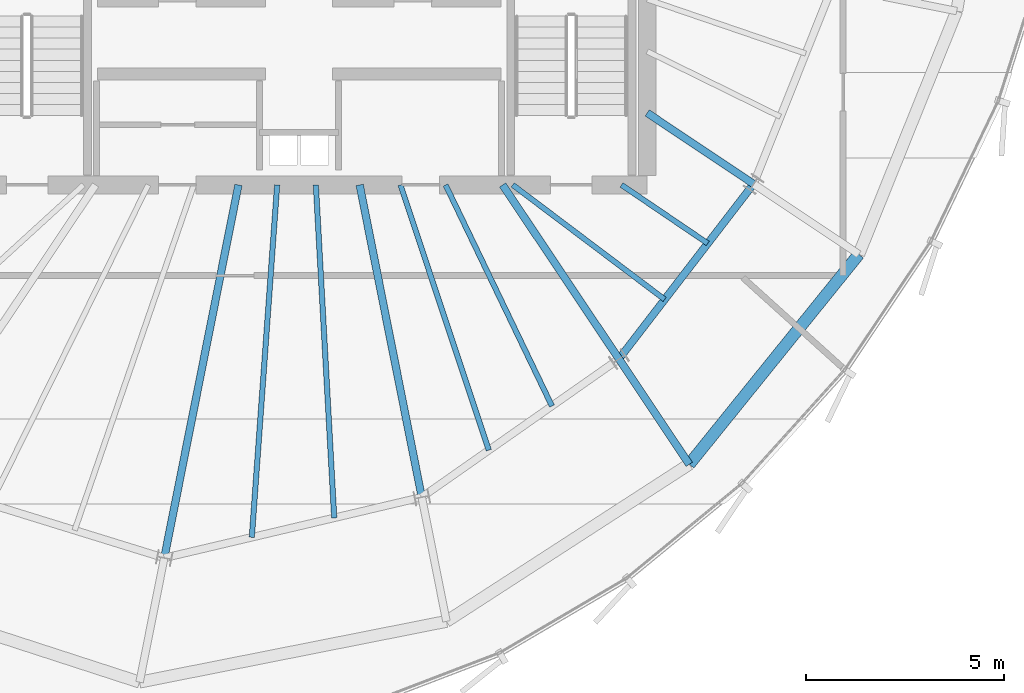
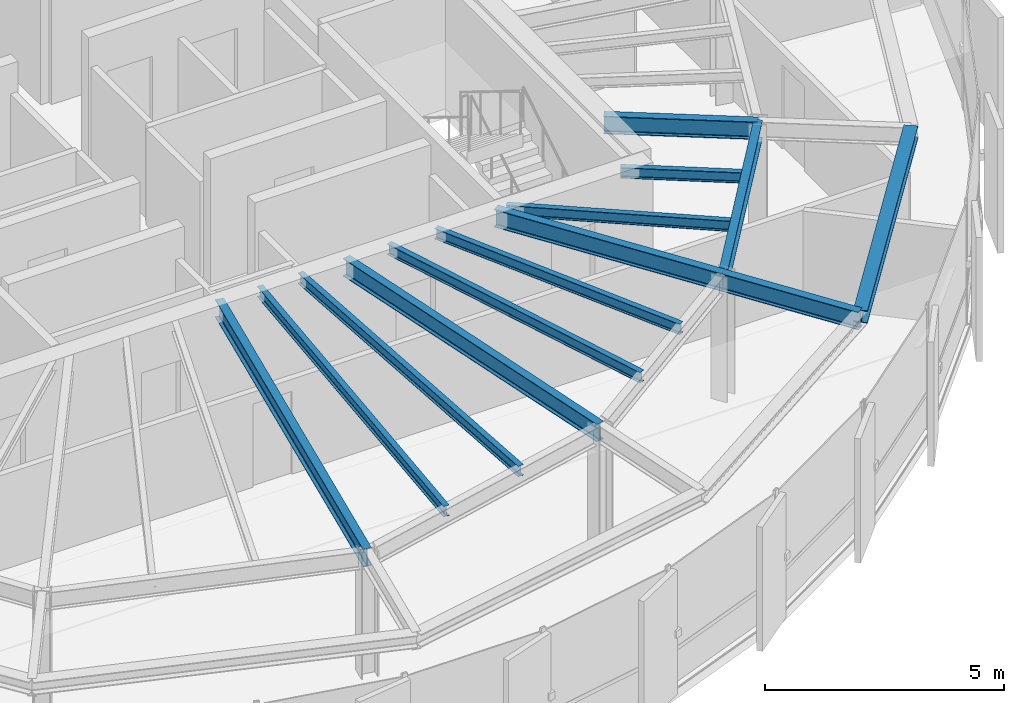
# One storey, part 8 of 31: 13 beams.
"""IFC4 building model written with IfcOpenShell, lengths in metres."""

from ifc_helpers import new_model, si_unit, direction, frame, origin, origin_2d, place, context, subcontext, project, spatial, i_section, extrude, source, transform, mapped, material, material_profile, profile_set, type_object, element, save


model = new_model("IFC4")

# Units and contexts
model_context = context("Model", 3, precision=1e-05, world=origin(), true_north=direction((0.0, 1.0)))
body_context = subcontext(model_context, "Body", "Model", "MODEL_VIEW")
ifc_project = project(units=[si_unit("LENGTHUNIT", "METRE"), si_unit("AREAUNIT", "SQUARE_METRE"), si_unit("VOLUMEUNIT", "CUBIC_METRE"), si_unit("PLANEANGLEUNIT", "RADIAN"), si_unit("MASSUNIT", "GRAM", prefix="KILO"), si_unit("THERMODYNAMICTEMPERATUREUNIT", "KELVIN")], contexts=[model_context])

# Site, building, storey
site_placement = place(None, origin())
site = spatial("IfcSite", under=ifc_project, at=site_placement, CompositionType="ELEMENT")
building_placement = place(site_placement, origin())
building = spatial("IfcBuilding", under=site, at=building_placement, Name="Kethvar Cultural Tower", CompositionType="ELEMENT")
storey_placement = place(building_placement, frame((0.0, 0.0, 276.699951171875)))
storey = spatial("IfcBuildingStorey", under=building, at=storey_placement, Name="L73", CompositionType="ELEMENT", Elevation=276.699951171875)

# Beams
ifc_material = material(Name="Steel S355J2", Category="steel")
ifc_material_profile_1 = material_profile(ifc_material, i_section(OverallWidth=0.18994140625, OverallDepth=0.449951171875, WebThickness=0.009521484375, FlangeThickness=0.0146484375, FilletRadius=0.02099609375, at=origin_2d()), Name="Steel S355J2 — IPE450")
ifc_profile_set_1 = profile_set([ifc_material_profile_1], Name="Steel S355J2 — IPE450")
beam_type_1 = type_object("IfcBeamType", Name="BM-IPE450", PredefinedType="BEAM", material=ifc_profile_set_1)
shared_shape_1 = source(origin(), body_context, "Body", "SweptSolid", [
    extrude(i_section(OverallWidth=0.18994140625, OverallDepth=0.449951171875, WebThickness=0.009521484375, FlangeThickness=0.0146484375, FilletRadius=0.02099609375, at=origin_2d()), origin(), (0.0, 0.0, 1.0), 3.199951171875),
])
beam_1_placement = place(storey_placement, frame((54.885009765625, 15.7001953125, 2.983154296875), z_axis=(0.555492222339, -0.83152173208, 0.0), x_axis=(0.83152173208, 0.555492222339, 0.0)))
element("IfcBeam", 1, at=beam_1_placement, inside=storey, type_object=beam_type_1, Name="L73 Perimeter Cantilever Beam RC-14", PredefinedType="BEAM", context=body_context, shape_type="MappedRepresentation", body=[
    mapped(shared_shape_1, transform((0.0, 0.0, 0.0), scale=1.0)),
])
shared_shape_2 = source(origin(), body_context, "Body", "SweptSolid", [
    extrude(i_section(OverallWidth=0.18994140625, OverallDepth=0.449951171875, WebThickness=0.009521484375, FlangeThickness=0.0146484375, FilletRadius=0.02099609375, at=origin_2d()), origin(), (0.0, 0.0, 1.0), 9.613525390625),
])
beam_2_placement = place(storey_placement, frame((45.268310546875, 20.10009765625, 2.983154296875), z_axis=(-0.195090428816, -0.980785259159, 0.0), x_axis=(0.980785259159, -0.195090428816, 0.0)))
element("IfcBeam", 2, at=beam_2_placement, inside=storey, type_object=beam_type_1, Name="L73 Primary Radial Beam RB-12", PredefinedType="BEAM", context=body_context, shape_type="MappedRepresentation", body=[
    mapped(shared_shape_2, transform((0.0, 0.0, 0.0), scale=1.0)),
])
shared_shape_3 = source(origin(), body_context, "Body", "SweptSolid", [
    extrude(i_section(OverallWidth=0.18994140625, OverallDepth=0.449951171875, WebThickness=0.009521484375, FlangeThickness=0.0146484375, FilletRadius=0.02099609375, at=origin_2d()), origin(), (0.0, 0.0, 1.0), 8.0478515625),
])
beam_3_placement = place(storey_placement, frame((48.33154296875, 20.10009765625, 2.983154296875), z_axis=(0.195089278796, -0.980785487912, 0.0), x_axis=(0.980785487912, 0.195089278796, 0.0)))
element("IfcBeam", 3, at=beam_3_placement, inside=storey, type_object=beam_type_1, Name="L73 Primary Radial Beam RB-13", PredefinedType="BEAM", context=body_context, shape_type="MappedRepresentation", body=[
    mapped(shared_shape_3, transform((0.0, 0.0, 0.0), scale=1.0)),
])
shared_shape_4 = source(origin(), body_context, "Body", "SweptSolid", [
    extrude(i_section(OverallWidth=0.18994140625, OverallDepth=0.449951171875, WebThickness=0.009521484375, FlangeThickness=0.0146484375, FilletRadius=0.02099609375, at=origin_2d()), origin(), (0.0, 0.0, 1.0), 5.291748046875),
])
beam_4_placement = place(storey_placement, frame((51.945068359375, 20.10009765625, 2.983154296875), z_axis=(0.555572931011, -0.831467809556, 0.0), x_axis=(0.831467809556, 0.555572931011, 0.0)))
element("IfcBeam", 4, at=beam_4_placement, inside=storey, type_object=beam_type_1, Name="L73 Primary Radial Beam RB-14", PredefinedType="BEAM", context=body_context, shape_type="MappedRepresentation", body=[
    mapped(shared_shape_4, transform((0.0, 0.0, 0.0), scale=1.0)),
])
shared_shape_5 = source(origin(), body_context, "Body", "SweptSolid", [
    extrude(i_section(OverallWidth=0.18994140625, OverallDepth=0.449951171875, WebThickness=0.009521484375, FlangeThickness=0.0146484375, FilletRadius=0.02099609375, at=origin_2d()), origin(), (0.0, 0.0, 1.0), 3.231689453125),
])
beam_5_placement = place(storey_placement, frame((55.60009765625, 21.919921875, 2.983154296875), z_axis=(0.831468708055, -0.55557158632, 0.0), x_axis=(0.55557158632, 0.831468708055, 0.0)))
element("IfcBeam", 5, at=beam_5_placement, inside=storey, type_object=beam_type_1, Name="L73 Primary Radial Beam RB-15", PredefinedType="BEAM", context=body_context, shape_type="MappedRepresentation", body=[
    mapped(shared_shape_5, transform((0.0, 0.0, 0.0), scale=1.0)),
])
ifc_material_profile_2 = material_profile(ifc_material, i_section(OverallWidth=0.135009765625, OverallDepth=0.27001953125, WebThickness=0.006591796875, FlangeThickness=0.01025390625, FilletRadius=0.014892578125, at=origin_2d()), Name="Steel S355J2 — IPE270")
ifc_profile_set_2 = profile_set([ifc_material_profile_2], Name="Steel S355J2 — IPE270")
beam_type_2 = type_object("IfcBeamType", Name="BM-J270", PredefinedType="JOIST", material=ifc_profile_set_2)
shared_shape_6 = source(origin(), body_context, "Body", "SweptSolid", [
    extrude(i_section(OverallWidth=0.135009765625, OverallDepth=0.27001953125, WebThickness=0.006591796875, FlangeThickness=0.01025390625, FilletRadius=0.014892578125, at=origin_2d()), origin(), (0.0, 0.0, 1.0), 8.9296875),
])
beam_6_placement = place(storey_placement, frame((46.246337890625, 20.10009765625, 3.072998046875), z_axis=(-0.071713352262, -0.99742528297, 0.0), x_axis=(0.99742528297, -0.071713352262, 0.0)))
element("IfcBeam", 6, at=beam_6_placement, inside=storey, type_object=beam_type_2, Name="L73 Composite Floor Joist J-12A", PredefinedType="JOIST", context=body_context, shape_type="MappedRepresentation", body=[
    mapped(shared_shape_6, transform((0.0, 0.0, 0.0), scale=1.0)),
])
shared_shape_7 = source(origin(), body_context, "Body", "SweptSolid", [
    extrude(i_section(OverallWidth=0.135009765625, OverallDepth=0.27001953125, WebThickness=0.006591796875, FlangeThickness=0.01025390625, FilletRadius=0.014892578125, at=origin_2d()), origin(), (0.0, 0.0, 1.0), 8.427978515625),
])
beam_7_placement = place(storey_placement, frame((47.224609375, 20.10009765625, 3.072998046875), z_axis=(0.055067321535, -0.998482643865, 0.0), x_axis=(0.998482643865, 0.055067321535, 0.0)))
element("IfcBeam", 7, at=beam_7_placement, inside=storey, type_object=beam_type_2, Name="L73 Composite Floor Joist J-12B", PredefinedType="JOIST", context=body_context, shape_type="MappedRepresentation", body=[
    mapped(shared_shape_7, transform((0.0, 0.0, 0.0), scale=1.0)),
])
shared_shape_8 = source(origin(), body_context, "Body", "SweptSolid", [
    extrude(i_section(OverallWidth=0.135009765625, OverallDepth=0.27001953125, WebThickness=0.006591796875, FlangeThickness=0.01025390625, FilletRadius=0.014892578125, at=origin_2d()), origin(), (0.0, 0.0, 1.0), 7.0673828125),
])
beam_8_placement = place(storey_placement, frame((49.363525390625, 20.10009765625, 3.072998046875), z_axis=(0.315875389768, -0.948800684095, 0.0), x_axis=(0.948800684095, 0.315875389768, 0.0)))
element("IfcBeam", 8, at=beam_8_placement, inside=storey, type_object=beam_type_2, Name="L73 Composite Floor Joist J-13A", PredefinedType="JOIST", context=body_context, shape_type="MappedRepresentation", body=[
    mapped(shared_shape_8, transform((0.0, 0.0, 0.0), scale=1.0)),
])
shared_shape_9 = source(origin(), body_context, "Body", "SweptSolid", [
    extrude(i_section(OverallWidth=0.135009765625, OverallDepth=0.27001953125, WebThickness=0.006591796875, FlangeThickness=0.01025390625, FilletRadius=0.014892578125, at=origin_2d()), origin(), (0.0, 0.0, 1.0), 6.2001953125),
])
beam_9_placement = place(storey_placement, frame((50.50341796875, 20.10009765625, 3.072998046875), z_axis=(0.433410678328, -0.901196529017, 0.0), x_axis=(0.901196529017, 0.433410678328, 0.0)))
element("IfcBeam", 9, at=beam_9_placement, inside=storey, type_object=beam_type_2, Name="L73 Composite Floor Joist J-13B", PredefinedType="JOIST", context=body_context, shape_type="MappedRepresentation", body=[
    mapped(shared_shape_9, transform((0.0, 0.0, 0.0), scale=1.0)),
])
shared_shape_10 = source(origin(), body_context, "Body", "SweptSolid", [
    extrude(i_section(OverallWidth=0.18994140625, OverallDepth=0.449951171875, WebThickness=0.009521484375, FlangeThickness=0.0146484375, FilletRadius=0.02099609375, at=origin_2d()), origin(), (0.0, 0.0, 1.0), 5.5810546875),
])
beam_10_placement = place(storey_placement, frame((54.885009765625, 15.7001953125, 2.983154296875), z_axis=(0.60957334008, 0.79272967843, 0.0), x_axis=(-0.79272967843, 0.60957334008, 0.0)))
element("IfcBeam", 10, at=beam_10_placement, inside=storey, type_object=beam_type_1, Name="L73 Column Ring Tie Beam CR-14", PredefinedType="BEAM", context=body_context, shape_type="MappedRepresentation", body=[
    mapped(shared_shape_10, transform((0.0, 0.0, 0.0), scale=1.0)),
])
ifc_material_profile_3 = material_profile(ifc_material, i_section(OverallWidth=0.300048828125, OverallDepth=0.320068359375, WebThickness=0.011474609375, FlangeThickness=0.0205078125, FilletRadius=0.027099609375, at=origin_2d()), Name="Steel S355J2 — HEB320")
ifc_profile_set_3 = profile_set([ifc_material_profile_3], Name="Steel S355J2 — HEB320")
beam_type_3 = type_object("IfcBeamType", Name="BM-SP320", PredefinedType="SPANDREL", material=ifc_profile_set_3)
shared_shape_11 = source(origin(), body_context, "Body", "SweptSolid", [
    extrude(i_section(OverallWidth=0.300048828125, OverallDepth=0.320068359375, WebThickness=0.011474609375, FlangeThickness=0.0205078125, FilletRadius=0.027099609375, at=origin_2d()), origin(), (0.0, 0.0, 1.0), 6.8212890625),
])
beam_11_placement = place(storey_placement, frame((56.66259765625, 13.039306640625, 3.048095703125), z_axis=(0.628197971595, 0.778053538315, 0.0), x_axis=(-0.778053538315, 0.628197971595, 0.0)))
element("IfcBeam", 11, at=beam_11_placement, inside=storey, type_object=beam_type_3, Name="L73 Perimeter Spandrel Beam SP-14", PredefinedType="SPANDREL", context=body_context, shape_type="MappedRepresentation", body=[
    mapped(shared_shape_11, transform((0.0, 0.0, 0.0), scale=1.0)),
])
shared_shape_12 = source(origin(), body_context, "Body", "SweptSolid", [
    extrude(i_section(OverallWidth=0.135009765625, OverallDepth=0.27001953125, WebThickness=0.006591796875, FlangeThickness=0.01025390625, FilletRadius=0.014892578125, at=origin_2d()), origin(), (0.0, 0.0, 1.0), 4.810791015625),
])
beam_12_placement = place(storey_placement, frame((52.199951171875, 20.10009765625, 3.072998046875), z_axis=(0.798542152732, -0.601938892505, 0.0), x_axis=(0.601938892505, 0.798542152732, 0.0)))
element("IfcBeam", 12, at=beam_12_placement, inside=storey, type_object=beam_type_2, Name="L73 Composite Floor Joist J-14A", PredefinedType="JOIST", context=body_context, shape_type="MappedRepresentation", body=[
    mapped(shared_shape_12, transform((0.0, 0.0, 0.0), scale=1.0)),
])
shared_shape_13 = source(origin(), body_context, "Body", "SweptSolid", [
    extrude(i_section(OverallWidth=0.135009765625, OverallDepth=0.27001953125, WebThickness=0.006591796875, FlangeThickness=0.01025390625, FilletRadius=0.014892578125, at=origin_2d()), origin(), (0.0, 0.0, 1.0), 2.635009765625),
])
beam_13_placement = place(storey_placement, frame((54.949951171875, 20.10009765625, 3.072998046875), z_axis=(0.827446562598, -0.561544464887, 0.0), x_axis=(0.561544464887, 0.827446562598, 0.0)))
element("IfcBeam", 13, at=beam_13_placement, inside=storey, type_object=beam_type_2, Name="L73 Composite Floor Joist J-14B", PredefinedType="JOIST", context=body_context, shape_type="MappedRepresentation", body=[
    mapped(shared_shape_13, transform((0.0, 0.0, 0.0), scale=1.0)),
])

save(model, "model.ifc")
